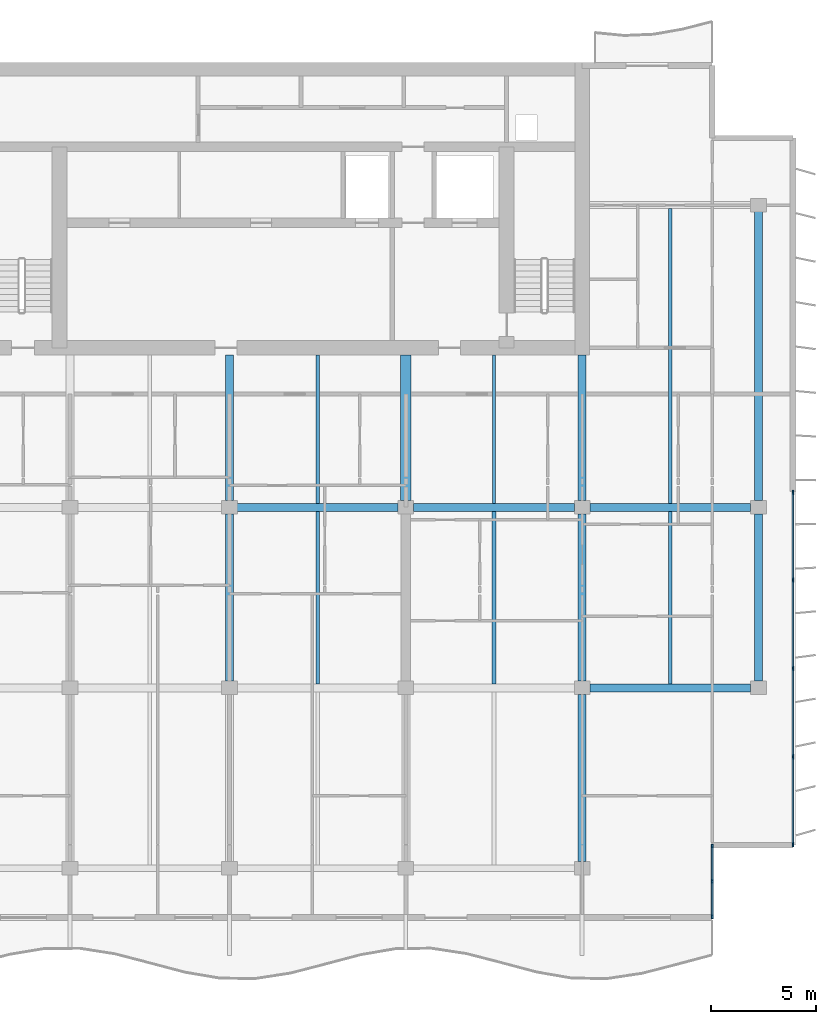
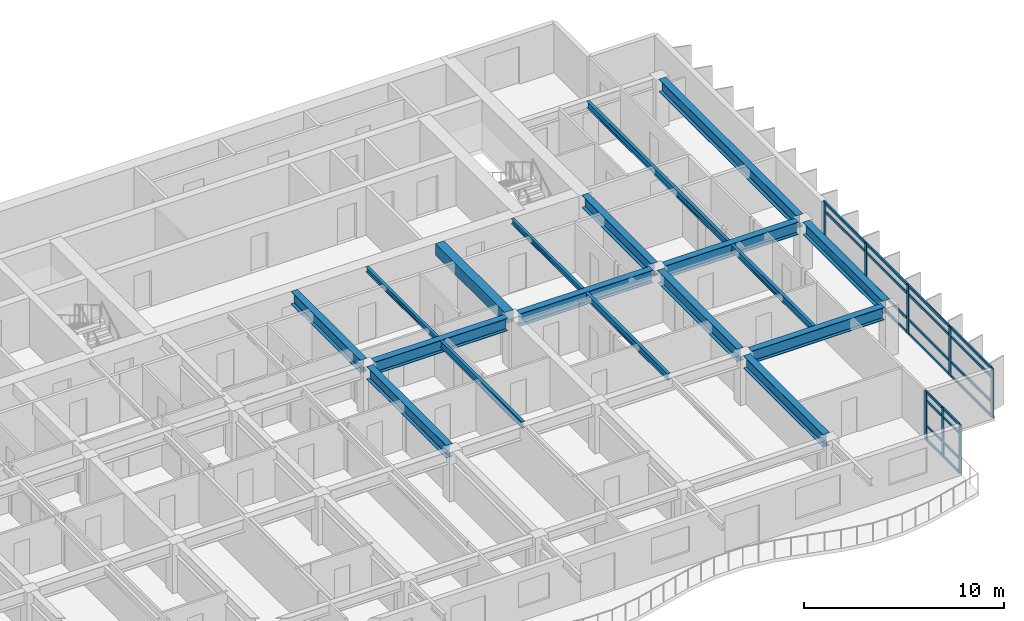
# One storey, part 4 of 16: 32 members, 18 beams, 2 elements without a shape of their own.
"""IFC4 building model written with IfcOpenShell, lengths in metres."""

from ifc_helpers import new_model, si_unit, direction, frame, origin, origin_2d, place, context, subcontext, project, spatial, rectangle, i_section, extrude, material, layer, layer_set, material_profile, profile_set, type_object, element, aggregate, save


model = new_model("IFC4")

# Units and contexts
model_context = context("Model", 3, precision=1e-05, world=origin(), true_north=direction((0.0, 1.0)))
body_context = subcontext(model_context, "Body", "Model", "MODEL_VIEW")
ifc_project = project(units=[si_unit("LENGTHUNIT", "METRE"), si_unit("AREAUNIT", "SQUARE_METRE"), si_unit("VOLUMEUNIT", "CUBIC_METRE"), si_unit("PLANEANGLEUNIT", "RADIAN"), si_unit("MASSUNIT", "GRAM", prefix="KILO")], contexts=[model_context])

# Site, building, storey
site_placement = place(None, origin())
site = spatial("IfcSite", under=ifc_project, at=site_placement, CompositionType="ELEMENT")
building_placement = place(site_placement, origin())
building = spatial("IfcBuilding", under=site, at=building_placement, Name="Caelmar Bay Residences", CompositionType="ELEMENT")
storey_placement = place(building_placement, frame((0.0, 0.0, 266.10009765625)))
storey = spatial("IfcBuildingStorey", under=building, at=storey_placement, Name="L75", CompositionType="ELEMENT", Elevation=266.10009765625)

# Beams
ifc_material_1 = material(Name="Steel ASTM A992 Grade 50", Category="steel")
ifc_material_profile_1 = material_profile(ifc_material_1, i_section(OverallWidth=0.177978515625, OverallDepth=0.406005859375, WebThickness=0.0078125, FlangeThickness=0.0126953125, FilletRadius=0.0087890625, at=origin_2d()), Name="W16X40")
ifc_profile_set_1 = profile_set([ifc_material_profile_1], Name="Steel ASTM A992 Grade 50")
beam_type_1 = type_object("IfcBeamType", Name="BM-BAL-W16X40", PredefinedType="JOIST", material=ifc_profile_set_1)
for number, where, z_axis, x_axis, name in (
    (1, (46.89990234375, 20.990478515625, 2.796875), (0.0, 1.0, 0.0), (-1.0, 0.0, 0.0), "L75 Composite Floor Joist 10"),
    (2, (55.300048828125, 20.990478515625, 2.796875), (0.0, 1.0, 0.0), (-1.0, 0.0, 0.0), "L75 Composite Floor Joist 11"),
    (3, (63.699951171875, 20.990478515625, 2.796875), (0.0, 1.0, 0.0), (-1.0, 0.0, 0.0), "L75 Composite Floor Joist 12"),
):
    element("IfcBeam", number, at=place(storey_placement, frame(where, z_axis=z_axis, x_axis=x_axis)), inside=storey, type_object=beam_type_1, Name=name, PredefinedType="JOIST", context=body_context, shape_type="SweptSolid", body=[
        extrude(i_section(OverallWidth=0.177978515625, OverallDepth=0.406005859375, WebThickness=0.0078125, FlangeThickness=0.0126953125, FilletRadius=0.0087890625, at=origin_2d()), origin(), (0.0, 0.0, 1.0), 8.218994140625),
    ])
beam_1_placement = place(storey_placement, frame((63.699951171875, 29.590576171875, 2.796875), z_axis=(0.0, 1.0, 0.0), x_axis=(-1.0, 0.0, 0.0)))
element("IfcBeam", 4, at=beam_1_placement, inside=storey, type_object=beam_type_1, Name="L75 Composite Floor Joist 19", PredefinedType="JOIST", context=body_context, shape_type="SweptSolid", body=[
    extrude(i_section(OverallWidth=0.177978515625, OverallDepth=0.406005859375, WebThickness=0.0078125, FlangeThickness=0.0126953125, FilletRadius=0.0087890625, at=origin_2d()), origin(), (0.0, 0.0, 1.0), 14.046875),
])
ifc_material_profile_2 = material_profile(ifc_material_1, i_section(OverallWidth=0.381103515625, OverallDepth=0.77197265625, WebThickness=0.0166015625, FlangeThickness=0.027099609375, FilletRadius=0.0166015625, at=origin_2d()), Name="W30X173")
ifc_profile_set_2 = profile_set([ifc_material_profile_2], Name="Steel ASTM A992 Grade 50")
beam_type_2 = type_object("IfcBeamType", Name="BM-GRD-W30X173", PredefinedType="BEAM", material=ifc_profile_set_2)
beam_2_placement = place(storey_placement, frame((59.864990234375, 20.800048828125, 2.614013671875), z_axis=(1.0, 0.0, 0.0), x_axis=(0.0, 1.0, 0.0)))
element("IfcBeam", 5, at=beam_2_placement, inside=storey, type_object=beam_type_2, Name="L75 East-West Girder Y=20.80 (59.5-67.9)", PredefinedType="BEAM", context=body_context, shape_type="SweptSolid", body=[
    extrude(i_section(OverallWidth=0.381103515625, OverallDepth=0.77197265625, WebThickness=0.0166015625, FlangeThickness=0.027099609375, FilletRadius=0.0166015625, at=origin_2d()), origin(), (0.0, 0.0, 1.0), 7.669921875),
])
beam_3_placement = place(storey_placement, frame((43.06494140625, 29.39990234375, 2.614013671875), z_axis=(1.0, 0.0, 0.0), x_axis=(0.0, 1.0, 0.0)))
element("IfcBeam", 6, at=beam_3_placement, inside=storey, type_object=beam_type_2, Name="L75 East-West Girder Y=29.40 (42.7-51.1)", PredefinedType="BEAM", context=body_context, shape_type="SweptSolid", body=[
    extrude(i_section(OverallWidth=0.381103515625, OverallDepth=0.77197265625, WebThickness=0.0166015625, FlangeThickness=0.027099609375, FilletRadius=0.0166015625, at=origin_2d()), origin(), (0.0, 0.0, 1.0), 7.670166015625),
])
for number, where, z_axis, x_axis, name in (
    (7, (51.465087890625, 29.39990234375, 2.614013671875), (1.0, 0.0, 0.0), (0.0, 1.0, 0.0), "L75 East-West Girder Y=29.40 (51.1-59.5)"),
    (8, (59.864990234375, 29.39990234375, 2.614013671875), (1.0, 0.0, 0.0), (0.0, 1.0, 0.0), "L75 East-West Girder Y=29.40 (59.5-67.9)"),
):
    element("IfcBeam", number, at=place(storey_placement, frame(where, z_axis=z_axis, x_axis=x_axis)), inside=storey, type_object=beam_type_2, Name=name, PredefinedType="BEAM", context=body_context, shape_type="SweptSolid", body=[
        extrude(i_section(OverallWidth=0.381103515625, OverallDepth=0.77197265625, WebThickness=0.0166015625, FlangeThickness=0.027099609375, FilletRadius=0.0166015625, at=origin_2d()), origin(), (0.0, 0.0, 1.0), 7.669921875),
    ])
beam_4_placement = place(storey_placement, frame((42.699951171875, 29.715087890625, 2.614013671875), z_axis=(0.0, 1.0, 0.0), x_axis=(-1.0, 0.0, 0.0)))
element("IfcBeam", 9, at=beam_4_placement, inside=storey, type_object=beam_type_2, Name="L75 Core Tie Girder X=42.70", PredefinedType="BEAM", context=body_context, shape_type="SweptSolid", body=[
    extrude(i_section(OverallWidth=0.381103515625, OverallDepth=0.77197265625, WebThickness=0.0166015625, FlangeThickness=0.027099609375, FilletRadius=0.0166015625, at=origin_2d()), origin(), (0.0, 0.0, 1.0), 6.934814453125),
])
beam_5_placement = place(storey_placement, frame((42.699951171875, 21.114990234375, 2.614013671875), z_axis=(0.0, 1.0, 0.0), x_axis=(-1.0, 0.0, 0.0)))
element("IfcBeam", 10, at=beam_5_placement, inside=storey, type_object=beam_type_2, Name="L75 North-South Girder X=42.70 (20.8-29.4)", PredefinedType="BEAM", context=body_context, shape_type="SweptSolid", body=[
    extrude(i_section(OverallWidth=0.381103515625, OverallDepth=0.77197265625, WebThickness=0.0166015625, FlangeThickness=0.027099609375, FilletRadius=0.0166015625, at=origin_2d()), origin(), (0.0, 0.0, 1.0), 7.969970703125),
])
beam_6_placement = place(storey_placement, frame((59.5, 29.715087890625, 2.614013671875), z_axis=(0.0, 1.0, 0.0), x_axis=(-1.0, 0.0, 0.0)))
element("IfcBeam", 11, at=beam_6_placement, inside=storey, type_object=beam_type_2, Name="L75 Core Tie Girder X=59.50", PredefinedType="BEAM", context=body_context, shape_type="SweptSolid", body=[
    extrude(i_section(OverallWidth=0.381103515625, OverallDepth=0.77197265625, WebThickness=0.0166015625, FlangeThickness=0.027099609375, FilletRadius=0.0166015625, at=origin_2d()), origin(), (0.0, 0.0, 1.0), 6.934814453125),
])
beam_7_placement = place(storey_placement, frame((59.5, 12.514892578125, 2.614013671875), z_axis=(0.0, 1.0, 0.0), x_axis=(-1.0, 0.0, 0.0)))
element("IfcBeam", 12, at=beam_7_placement, inside=storey, type_object=beam_type_2, Name="L75 North-South Girder X=59.50 (12.2-20.8)", PredefinedType="BEAM", context=body_context, shape_type="SweptSolid", body=[
    extrude(i_section(OverallWidth=0.381103515625, OverallDepth=0.77197265625, WebThickness=0.0166015625, FlangeThickness=0.027099609375, FilletRadius=0.0166015625, at=origin_2d()), origin(), (0.0, 0.0, 1.0), 7.97021484375),
])
for number, where, z_axis, x_axis, name in (
    (13, (59.5, 21.114990234375, 2.614013671875), (0.0, 1.0, 0.0), (-1.0, 0.0, 0.0), "L75 North-South Girder X=59.50 (20.8-29.4)"),
    (14, (67.89990234375, 21.114990234375, 2.614013671875), (0.0, 1.0, 0.0), (-1.0, 0.0, 0.0), "L75 North-South Girder X=67.90 (20.8-29.4)"),
):
    element("IfcBeam", number, at=place(storey_placement, frame(where, z_axis=z_axis, x_axis=x_axis)), inside=storey, type_object=beam_type_2, Name=name, PredefinedType="BEAM", context=body_context, shape_type="SweptSolid", body=[
        extrude(i_section(OverallWidth=0.381103515625, OverallDepth=0.77197265625, WebThickness=0.0166015625, FlangeThickness=0.027099609375, FilletRadius=0.0166015625, at=origin_2d()), origin(), (0.0, 0.0, 1.0), 7.969970703125),
    ])
beam_8_placement = place(storey_placement, frame((67.89990234375, 29.715087890625, 2.614013671875), z_axis=(0.0, 1.0, 0.0), x_axis=(-1.0, 0.0, 0.0)))
element("IfcBeam", 15, at=beam_8_placement, inside=storey, type_object=beam_type_2, Name="L75 North-South Girder X=67.90 (29.4-43.8)", PredefinedType="BEAM", context=body_context, shape_type="SweptSolid", body=[
    extrude(i_section(OverallWidth=0.381103515625, OverallDepth=0.77197265625, WebThickness=0.0166015625, FlangeThickness=0.027099609375, FilletRadius=0.0166015625, at=origin_2d()), origin(), (0.0, 0.0, 1.0), 13.77001953125),
])
ifc_material_profile_3 = material_profile(ifc_material_1, i_section(OverallWidth=0.1650390625, OverallDepth=0.31005859375, WebThickness=0.005859375, FlangeThickness=0.009765625, FilletRadius=0.007568359375, at=origin_2d()), Name="W12X26")
ifc_profile_set_3 = profile_set([ifc_material_profile_3], Name="Steel ASTM A992 Grade 50")
beam_type_3 = type_object("IfcBeamType", Name="BM-JST-W12X26", PredefinedType="JOIST", material=ifc_profile_set_3)
for number, where, z_axis, x_axis, name in (
    (16, (46.89990234375, 29.590576171875, 2.844970703125), (0.0, 1.0, 0.0), (-1.0, 0.0, 0.0), "L75 Core-Band Composite Joist 16"),
    (17, (55.300048828125, 29.590576171875, 2.844970703125), (0.0, 1.0, 0.0), (-1.0, 0.0, 0.0), "L75 Core-Band Composite Joist 17"),
):
    element("IfcBeam", number, at=place(storey_placement, frame(where, z_axis=z_axis, x_axis=x_axis)), inside=storey, type_object=beam_type_3, Name=name, PredefinedType="JOIST", context=body_context, shape_type="SweptSolid", body=[
        extrude(i_section(OverallWidth=0.1650390625, OverallDepth=0.31005859375, WebThickness=0.005859375, FlangeThickness=0.009765625, FilletRadius=0.007568359375, at=origin_2d()), origin(), (0.0, 0.0, 1.0), 7.059326171875),
    ])
ifc_material_2 = material(Name="Concrete f'c 55 MPa (8,000 psi)", Category="concrete")
ifc_material_profile_4 = material_profile(ifc_material_2, rectangle(XDim=0.5, YDim=0.699951171875, at=origin_2d()), Name="RC-BM-500X700")
ifc_profile_set_4 = profile_set([ifc_material_profile_4], Name="Concrete f'c 55 MPa (8,000 psi)")
beam_type_4 = type_object("IfcBeamType", Name="BM-RC-500X700", PredefinedType="LINTEL", material=ifc_profile_set_4)
beam_9_placement = place(storey_placement, frame((51.10009765625, 29.715087890625, 2.64990234375), z_axis=(0.0, 1.0, 0.0), x_axis=(-1.0, 0.0, 0.0)))
element("IfcBeam", 18, at=beam_9_placement, inside=storey, type_object=beam_type_4, Name="L75 Shear-Wall Corridor Coupling Lintel E8", PredefinedType="LINTEL", context=body_context, shape_type="SweptSolid", body=[
    extrude(rectangle(XDim=0.5, YDim=0.699951171875, at=origin_2d()), origin(), (0.0, 0.0, 1.0), 6.934814453125),
])

# Curtain wall, members
ifc_material_3 = material(Name="Anodised bronze aluminium 6063-T6 and laminated glass", Category="aluminium")
ifc_layer_1 = layer(ifc_material_3, 0.179931640625)
ifc_layer_set_1 = layer_set([ifc_layer_1], Name="Anodised bronze aluminium 6063-T6 and laminated glass")
curtain_wall_type_1 = type_object("IfcCurtainWallType", Name="CW6-NTC", PredefinedType="NOTDEFINED", material=ifc_layer_set_1)
curtain_wall_1_placement = place(storey_placement, origin())
curtain_wall_1 = element("IfcCurtainWall", 19, at=curtain_wall_1_placement, inside=storey, type_object=curtain_wall_type_1, Name="CW6 curtain wall L75", PredefinedType="NOTDEFINED")
ifc_material_4 = material(Name="Anodised bronze aluminium 6063-T6", Category="aluminium")
ifc_material_profile_5 = material_profile(ifc_material_4, rectangle(XDim=0.080078125, YDim=0.179931640625, at=origin_2d()), Name="CWM-80X180")
ifc_profile_set_5 = profile_set([ifc_material_profile_5], Name="Anodised bronze aluminium 6063-T6")
member_type_1 = type_object("IfcMemberType", Name="CWM-180", PredefinedType="MULLION", material=ifc_profile_set_5)
member_1_placement = place(storey_placement, frame((65.699951171875, 9.889892578125, 0.0), z_axis=(0.0, 0.0, 1.0), x_axis=(-1.0, 0.0, 0.0)))
member_1 = element("IfcMember", 20, at=member_1_placement, type_object=member_type_1, Name="CW6 mullion 1", PredefinedType="MULLION", context=body_context, shape_type="SweptSolid", body=[
    extrude(rectangle(XDim=0.080078125, YDim=0.179931640625, at=origin_2d()), origin(), (0.0, 0.0, 1.0), 3.0),
])
member_2_placement = place(storey_placement, frame((65.699951171875, 11.574951171875, 0.0), z_axis=(0.0, 0.0, 1.0), x_axis=(-1.0, 0.0, 0.0)))
member_2 = element("IfcMember", 21, at=member_2_placement, type_object=member_type_1, Name="CW6 mullion 2", PredefinedType="MULLION", context=body_context, shape_type="SweptSolid", body=[
    extrude(rectangle(XDim=0.080078125, YDim=0.179931640625, at=origin_2d()), origin(), (0.0, 0.0, 1.0), 3.0),
])
member_3_placement = place(storey_placement, frame((65.699951171875, 13.260009765625, 0.0), z_axis=(0.0, 0.0, 1.0), x_axis=(-1.0, 0.0, 0.0)))
member_3 = element("IfcMember", 22, at=member_3_placement, type_object=member_type_1, Name="CW6 mullion 3", PredefinedType="MULLION", context=body_context, shape_type="SweptSolid", body=[
    extrude(rectangle(XDim=0.080078125, YDim=0.179931640625, at=origin_2d()), origin(), (0.0, 0.0, 1.0), 3.0),
])

ifc_layer_2 = layer(ifc_material_3, 0.179931640625)
ifc_layer_set_2 = layer_set([ifc_layer_2], Name="Anodised bronze aluminium 6063-T6 and laminated glass")
curtain_wall_type_2 = type_object("IfcCurtainWallType", Name="CW5-Z4", PredefinedType="NOTDEFINED", material=ifc_layer_set_2)
curtain_wall_2_placement = place(storey_placement, origin())
curtain_wall_2 = element("IfcCurtainWall", 23, at=curtain_wall_2_placement, inside=storey, type_object=curtain_wall_type_2, Name="CW5 curtain wall L75", PredefinedType="NOTDEFINED")
ifc_material_profile_6 = material_profile(ifc_material_4, rectangle(XDim=0.080078125, YDim=0.219970703125, at=origin_2d()), Name="CWM-80X220")
ifc_profile_set_6 = profile_set([ifc_material_profile_6], Name="Anodised bronze aluminium 6063-T6")
member_type_2 = type_object("IfcMemberType", Name="CWM-220", PredefinedType="MULLION", material=ifc_profile_set_6)
member_4_placement = place(storey_placement, frame((69.550048828125, 30.110107421875, 0.0), z_axis=(0.0, 0.0, 1.0), x_axis=(1.0, 0.0, 0.0)))
member_4 = element("IfcMember", 24, at=member_4_placement, type_object=member_type_2, Name="CW5 mullion 1", PredefinedType="MULLION", context=body_context, shape_type="SweptSolid", body=[
    extrude(rectangle(XDim=0.080078125, YDim=0.219970703125, at=origin_2d()), origin(), (0.0, 0.0, 1.0), 3.0),
])
member_5_placement = place(storey_placement, frame((69.550048828125, 25.9375, 0.0), z_axis=(0.0, 0.0, 1.0), x_axis=(1.0, 0.0, 0.0)))
member_5 = element("IfcMember", 25, at=member_5_placement, type_object=member_type_2, Name="CW5 mullion 2", PredefinedType="MULLION", context=body_context, shape_type="SweptSolid", body=[
    extrude(rectangle(XDim=0.080078125, YDim=0.219970703125, at=origin_2d()), origin(), (0.0, 0.0, 1.0), 3.0),
])
member_6_placement = place(storey_placement, frame((69.550048828125, 21.72509765625, 0.0), z_axis=(0.0, 0.0, 1.0), x_axis=(1.0, 0.0, 0.0)))
member_6 = element("IfcMember", 26, at=member_6_placement, type_object=member_type_2, Name="CW5 mullion 3", PredefinedType="MULLION", context=body_context, shape_type="SweptSolid", body=[
    extrude(rectangle(XDim=0.080078125, YDim=0.219970703125, at=origin_2d()), origin(), (0.0, 0.0, 1.0), 3.0),
])
member_7_placement = place(storey_placement, frame((69.550048828125, 17.512451171875, 0.0), z_axis=(0.0, 0.0, 1.0), x_axis=(1.0, 0.0, 0.0)))
member_7 = element("IfcMember", 27, at=member_7_placement, type_object=member_type_2, Name="CW5 mullion 4", PredefinedType="MULLION", context=body_context, shape_type="SweptSolid", body=[
    extrude(rectangle(XDim=0.080078125, YDim=0.219970703125, at=origin_2d()), origin(), (0.0, 0.0, 1.0), 3.0),
])
member_8_placement = place(storey_placement, frame((69.550048828125, 13.340087890625, 0.0), z_axis=(0.0, 0.0, 1.0), x_axis=(1.0, 0.0, 0.0)))
member_8 = element("IfcMember", 28, at=member_8_placement, type_object=member_type_2, Name="CW5 mullion 5", PredefinedType="MULLION", context=body_context, shape_type="SweptSolid", body=[
    extrude(rectangle(XDim=0.080078125, YDim=0.219970703125, at=origin_2d()), origin(), (0.0, 0.0, 1.0), 3.0),
])

# Member
ifc_material_profile_7 = material_profile(ifc_material_4, rectangle(XDim=0.080078125, YDim=0.139892578125, at=origin_2d()), Name="CWT-80X140")
ifc_profile_set_7 = profile_set([ifc_material_profile_7], Name="Anodised bronze aluminium 6063-T6")
member_type_3 = type_object("IfcMemberType", Name="CWT-140", PredefinedType="NOTDEFINED", material=ifc_profile_set_7)
member_9_placement = place(storey_placement, frame((65.699951171875, 9.929931640625, 0.039794921875), z_axis=(0.0, 1.0, 0.0), x_axis=(-1.0, 0.0, 0.0)))
member_9 = element("IfcMember", 29, at=member_9_placement, type_object=member_type_3, Name="CW6 transom 1.1", ObjectType="TRANSOM", PredefinedType="USERDEFINED", context=body_context, shape_type="SweptSolid", body=[
    extrude(rectangle(XDim=0.080078125, YDim=0.139892578125, at=origin_2d()), origin(), (0.0, 0.0, 1.0), 1.60498046875),
])

member_10_placement = place(storey_placement, frame((65.699951171875, 9.929931640625, 0.89990234375), z_axis=(0.0, 1.0, 0.0), x_axis=(-1.0, 0.0, 0.0)))
member_10 = element("IfcMember", 30, at=member_10_placement, type_object=member_type_3, Name="CW6 transom 1.2", ObjectType="TRANSOM", PredefinedType="USERDEFINED", context=body_context, shape_type="SweptSolid", body=[
    extrude(rectangle(XDim=0.080078125, YDim=0.139892578125, at=origin_2d()), origin(), (0.0, 0.0, 1.0), 1.60498046875),
])

member_11_placement = place(storey_placement, frame((65.699951171875, 9.929931640625, 2.449951171875), z_axis=(0.0, 1.0, 0.0), x_axis=(-1.0, 0.0, 0.0)))
member_11 = element("IfcMember", 31, at=member_11_placement, type_object=member_type_3, Name="CW6 transom 1.3", ObjectType="TRANSOM", PredefinedType="USERDEFINED", context=body_context, shape_type="SweptSolid", body=[
    extrude(rectangle(XDim=0.080078125, YDim=0.139892578125, at=origin_2d()), origin(), (0.0, 0.0, 1.0), 1.60498046875),
])

member_12_placement = place(storey_placement, frame((65.699951171875, 9.929931640625, 2.9599609375), z_axis=(0.0, 1.0, 0.0), x_axis=(-1.0, 0.0, 0.0)))
member_12 = element("IfcMember", 32, at=member_12_placement, type_object=member_type_3, Name="CW6 transom 1.4", ObjectType="TRANSOM", PredefinedType="USERDEFINED", context=body_context, shape_type="SweptSolid", body=[
    extrude(rectangle(XDim=0.080078125, YDim=0.139892578125, at=origin_2d()), origin(), (0.0, 0.0, 1.0), 1.60498046875),
])

member_13_placement = place(storey_placement, frame((65.699951171875, 11.614990234375, 0.039794921875), z_axis=(0.0, 1.0, 0.0), x_axis=(-1.0, 0.0, 0.0)))
member_13 = element("IfcMember", 33, at=member_13_placement, type_object=member_type_3, Name="CW6 transom 2.1", ObjectType="TRANSOM", PredefinedType="USERDEFINED", context=body_context, shape_type="SweptSolid", body=[
    extrude(rectangle(XDim=0.080078125, YDim=0.139892578125, at=origin_2d()), origin(), (0.0, 0.0, 1.0), 1.60498046875),
])

member_14_placement = place(storey_placement, frame((65.699951171875, 11.614990234375, 0.89990234375), z_axis=(0.0, 1.0, 0.0), x_axis=(-1.0, 0.0, 0.0)))
member_14 = element("IfcMember", 34, at=member_14_placement, type_object=member_type_3, Name="CW6 transom 2.2", ObjectType="TRANSOM", PredefinedType="USERDEFINED", context=body_context, shape_type="SweptSolid", body=[
    extrude(rectangle(XDim=0.080078125, YDim=0.139892578125, at=origin_2d()), origin(), (0.0, 0.0, 1.0), 1.60498046875),
])

member_15_placement = place(storey_placement, frame((65.699951171875, 11.614990234375, 2.449951171875), z_axis=(0.0, 1.0, 0.0), x_axis=(-1.0, 0.0, 0.0)))
member_15 = element("IfcMember", 35, at=member_15_placement, type_object=member_type_3, Name="CW6 transom 2.3", ObjectType="TRANSOM", PredefinedType="USERDEFINED", context=body_context, shape_type="SweptSolid", body=[
    extrude(rectangle(XDim=0.080078125, YDim=0.139892578125, at=origin_2d()), origin(), (0.0, 0.0, 1.0), 1.60498046875),
])

member_16_placement = place(storey_placement, frame((65.699951171875, 11.614990234375, 2.9599609375), z_axis=(0.0, 1.0, 0.0), x_axis=(-1.0, 0.0, 0.0)))
member_16 = element("IfcMember", 36, at=member_16_placement, type_object=member_type_3, Name="CW6 transom 2.4", ObjectType="TRANSOM", PredefinedType="USERDEFINED", context=body_context, shape_type="SweptSolid", body=[
    extrude(rectangle(XDim=0.080078125, YDim=0.139892578125, at=origin_2d()), origin(), (0.0, 0.0, 1.0), 1.60498046875),
])

aggregate(curtain_wall_1, [member_1, member_2, member_3, member_9, member_10, member_11, member_12, member_13, member_14, member_15, member_16])

ifc_material_profile_8 = material_profile(ifc_material_4, rectangle(XDim=0.080078125, YDim=0.159912109375, at=origin_2d()), Name="CWT-80X160")
ifc_profile_set_8 = profile_set([ifc_material_profile_8], Name="Anodised bronze aluminium 6063-T6")
member_type_4 = type_object("IfcMemberType", Name="CWT-160", PredefinedType="NOTDEFINED", material=ifc_profile_set_8)
member_17_placement = place(storey_placement, frame((69.550048828125, 30.070068359375, 0.039794921875), z_axis=(0.0, -1.0, 0.0), x_axis=(1.0, 0.0, 0.0)))
member_17 = element("IfcMember", 37, at=member_17_placement, type_object=member_type_4, Name="CW5 transom 1.1", ObjectType="TRANSOM", PredefinedType="USERDEFINED", context=body_context, shape_type="SweptSolid", body=[
    extrude(rectangle(XDim=0.080078125, YDim=0.159912109375, at=origin_2d()), origin(), (0.0, 0.0, 1.0), 4.092529296875),
])

member_18_placement = place(storey_placement, frame((69.550048828125, 30.070068359375, 0.89990234375), z_axis=(0.0, -1.0, 0.0), x_axis=(1.0, 0.0, 0.0)))
member_18 = element("IfcMember", 38, at=member_18_placement, type_object=member_type_4, Name="CW5 transom 1.2", ObjectType="TRANSOM", PredefinedType="USERDEFINED", context=body_context, shape_type="SweptSolid", body=[
    extrude(rectangle(XDim=0.080078125, YDim=0.159912109375, at=origin_2d()), origin(), (0.0, 0.0, 1.0), 4.092529296875),
])

member_19_placement = place(storey_placement, frame((69.550048828125, 30.070068359375, 2.449951171875), z_axis=(0.0, -1.0, 0.0), x_axis=(1.0, 0.0, 0.0)))
member_19 = element("IfcMember", 39, at=member_19_placement, type_object=member_type_4, Name="CW5 transom 1.3", ObjectType="TRANSOM", PredefinedType="USERDEFINED", context=body_context, shape_type="SweptSolid", body=[
    extrude(rectangle(XDim=0.080078125, YDim=0.159912109375, at=origin_2d()), origin(), (0.0, 0.0, 1.0), 4.092529296875),
])

member_20_placement = place(storey_placement, frame((69.550048828125, 30.070068359375, 2.9599609375), z_axis=(0.0, -1.0, 0.0), x_axis=(1.0, 0.0, 0.0)))
member_20 = element("IfcMember", 40, at=member_20_placement, type_object=member_type_4, Name="CW5 transom 1.4", ObjectType="TRANSOM", PredefinedType="USERDEFINED", context=body_context, shape_type="SweptSolid", body=[
    extrude(rectangle(XDim=0.080078125, YDim=0.159912109375, at=origin_2d()), origin(), (0.0, 0.0, 1.0), 4.092529296875),
])

member_21_placement = place(storey_placement, frame((69.550048828125, 25.8974609375, 0.039794921875), z_axis=(0.0, -1.0, 0.0), x_axis=(1.0, 0.0, 0.0)))
member_21 = element("IfcMember", 41, at=member_21_placement, type_object=member_type_4, Name="CW5 transom 2.1", ObjectType="TRANSOM", PredefinedType="USERDEFINED", context=body_context, shape_type="SweptSolid", body=[
    extrude(rectangle(XDim=0.080078125, YDim=0.159912109375, at=origin_2d()), origin(), (0.0, 0.0, 1.0), 4.132568359375),
])

member_22_placement = place(storey_placement, frame((69.550048828125, 25.8974609375, 0.89990234375), z_axis=(0.0, -1.0, 0.0), x_axis=(1.0, 0.0, 0.0)))
member_22 = element("IfcMember", 42, at=member_22_placement, type_object=member_type_4, Name="CW5 transom 2.2", ObjectType="TRANSOM", PredefinedType="USERDEFINED", context=body_context, shape_type="SweptSolid", body=[
    extrude(rectangle(XDim=0.080078125, YDim=0.159912109375, at=origin_2d()), origin(), (0.0, 0.0, 1.0), 4.132568359375),
])

member_23_placement = place(storey_placement, frame((69.550048828125, 25.8974609375, 2.449951171875), z_axis=(0.0, -1.0, 0.0), x_axis=(1.0, 0.0, 0.0)))
member_23 = element("IfcMember", 43, at=member_23_placement, type_object=member_type_4, Name="CW5 transom 2.3", ObjectType="TRANSOM", PredefinedType="USERDEFINED", context=body_context, shape_type="SweptSolid", body=[
    extrude(rectangle(XDim=0.080078125, YDim=0.159912109375, at=origin_2d()), origin(), (0.0, 0.0, 1.0), 4.132568359375),
])

member_24_placement = place(storey_placement, frame((69.550048828125, 25.8974609375, 2.9599609375), z_axis=(0.0, -1.0, 0.0), x_axis=(1.0, 0.0, 0.0)))
member_24 = element("IfcMember", 44, at=member_24_placement, type_object=member_type_4, Name="CW5 transom 2.4", ObjectType="TRANSOM", PredefinedType="USERDEFINED", context=body_context, shape_type="SweptSolid", body=[
    extrude(rectangle(XDim=0.080078125, YDim=0.159912109375, at=origin_2d()), origin(), (0.0, 0.0, 1.0), 4.132568359375),
])

member_25_placement = place(storey_placement, frame((69.550048828125, 21.68505859375, 0.039794921875), z_axis=(0.0, -1.0, 0.0), x_axis=(1.0, 0.0, 0.0)))
member_25 = element("IfcMember", 45, at=member_25_placement, type_object=member_type_4, Name="CW5 transom 3.1", ObjectType="TRANSOM", PredefinedType="USERDEFINED", context=body_context, shape_type="SweptSolid", body=[
    extrude(rectangle(XDim=0.080078125, YDim=0.159912109375, at=origin_2d()), origin(), (0.0, 0.0, 1.0), 4.132568359375),
])

member_26_placement = place(storey_placement, frame((69.550048828125, 21.68505859375, 0.89990234375), z_axis=(0.0, -1.0, 0.0), x_axis=(1.0, 0.0, 0.0)))
member_26 = element("IfcMember", 46, at=member_26_placement, type_object=member_type_4, Name="CW5 transom 3.2", ObjectType="TRANSOM", PredefinedType="USERDEFINED", context=body_context, shape_type="SweptSolid", body=[
    extrude(rectangle(XDim=0.080078125, YDim=0.159912109375, at=origin_2d()), origin(), (0.0, 0.0, 1.0), 4.132568359375),
])

member_27_placement = place(storey_placement, frame((69.550048828125, 21.68505859375, 2.449951171875), z_axis=(0.0, -1.0, 0.0), x_axis=(1.0, 0.0, 0.0)))
member_27 = element("IfcMember", 47, at=member_27_placement, type_object=member_type_4, Name="CW5 transom 3.3", ObjectType="TRANSOM", PredefinedType="USERDEFINED", context=body_context, shape_type="SweptSolid", body=[
    extrude(rectangle(XDim=0.080078125, YDim=0.159912109375, at=origin_2d()), origin(), (0.0, 0.0, 1.0), 4.132568359375),
])

member_28_placement = place(storey_placement, frame((69.550048828125, 21.68505859375, 2.9599609375), z_axis=(0.0, -1.0, 0.0), x_axis=(1.0, 0.0, 0.0)))
member_28 = element("IfcMember", 48, at=member_28_placement, type_object=member_type_4, Name="CW5 transom 3.4", ObjectType="TRANSOM", PredefinedType="USERDEFINED", context=body_context, shape_type="SweptSolid", body=[
    extrude(rectangle(XDim=0.080078125, YDim=0.159912109375, at=origin_2d()), origin(), (0.0, 0.0, 1.0), 4.132568359375),
])

member_29_placement = place(storey_placement, frame((69.550048828125, 17.472412109375, 0.039794921875), z_axis=(0.0, -1.0, 0.0), x_axis=(1.0, 0.0, 0.0)))
member_29 = element("IfcMember", 49, at=member_29_placement, type_object=member_type_4, Name="CW5 transom 4.1", ObjectType="TRANSOM", PredefinedType="USERDEFINED", context=body_context, shape_type="SweptSolid", body=[
    extrude(rectangle(XDim=0.080078125, YDim=0.159912109375, at=origin_2d()), origin(), (0.0, 0.0, 1.0), 4.092529296875),
])

member_30_placement = place(storey_placement, frame((69.550048828125, 17.472412109375, 0.89990234375), z_axis=(0.0, -1.0, 0.0), x_axis=(1.0, 0.0, 0.0)))
member_30 = element("IfcMember", 50, at=member_30_placement, type_object=member_type_4, Name="CW5 transom 4.2", ObjectType="TRANSOM", PredefinedType="USERDEFINED", context=body_context, shape_type="SweptSolid", body=[
    extrude(rectangle(XDim=0.080078125, YDim=0.159912109375, at=origin_2d()), origin(), (0.0, 0.0, 1.0), 4.092529296875),
])

member_31_placement = place(storey_placement, frame((69.550048828125, 17.472412109375, 2.449951171875), z_axis=(0.0, -1.0, 0.0), x_axis=(1.0, 0.0, 0.0)))
member_31 = element("IfcMember", 51, at=member_31_placement, type_object=member_type_4, Name="CW5 transom 4.3", ObjectType="TRANSOM", PredefinedType="USERDEFINED", context=body_context, shape_type="SweptSolid", body=[
    extrude(rectangle(XDim=0.080078125, YDim=0.159912109375, at=origin_2d()), origin(), (0.0, 0.0, 1.0), 4.092529296875),
])

member_32_placement = place(storey_placement, frame((69.550048828125, 17.472412109375, 2.9599609375), z_axis=(0.0, -1.0, 0.0), x_axis=(1.0, 0.0, 0.0)))
member_32 = element("IfcMember", 52, at=member_32_placement, type_object=member_type_4, Name="CW5 transom 4.4", ObjectType="TRANSOM", PredefinedType="USERDEFINED", context=body_context, shape_type="SweptSolid", body=[
    extrude(rectangle(XDim=0.080078125, YDim=0.159912109375, at=origin_2d()), origin(), (0.0, 0.0, 1.0), 4.092529296875),
])

aggregate(curtain_wall_2, [member_4, member_5, member_6, member_7, member_8, member_17, member_18, member_19, member_20, member_21, member_22, member_23, member_24, member_25, member_26, member_27, member_28, member_29, member_30, member_31, member_32])

save(model, "model.ifc")
